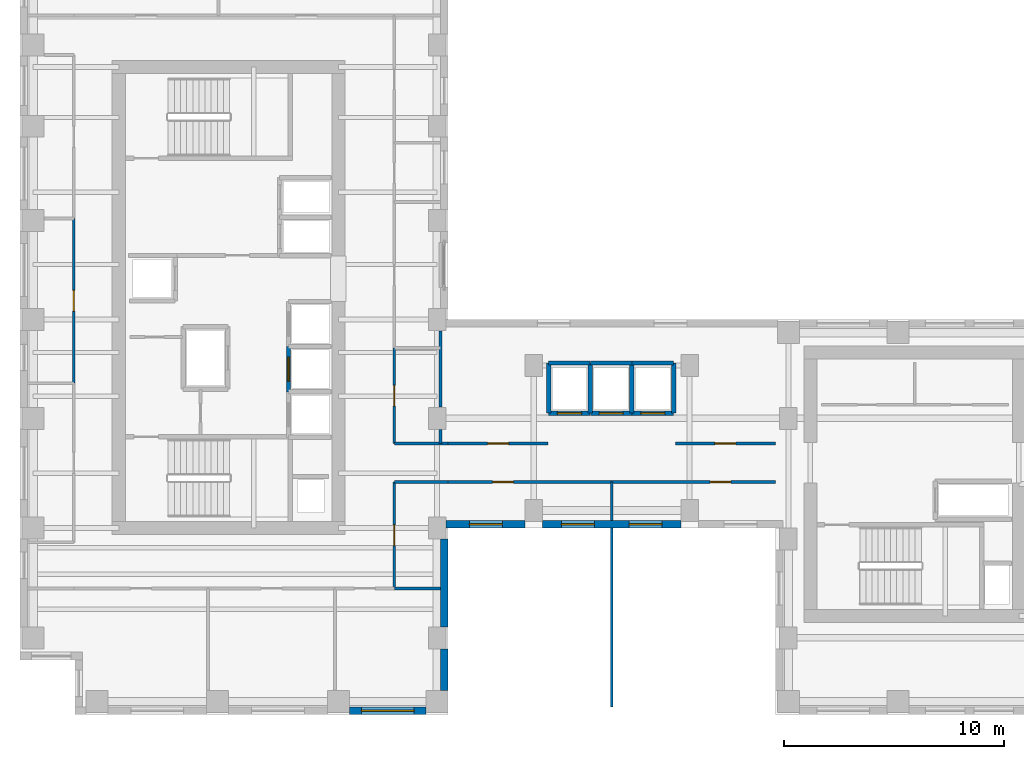
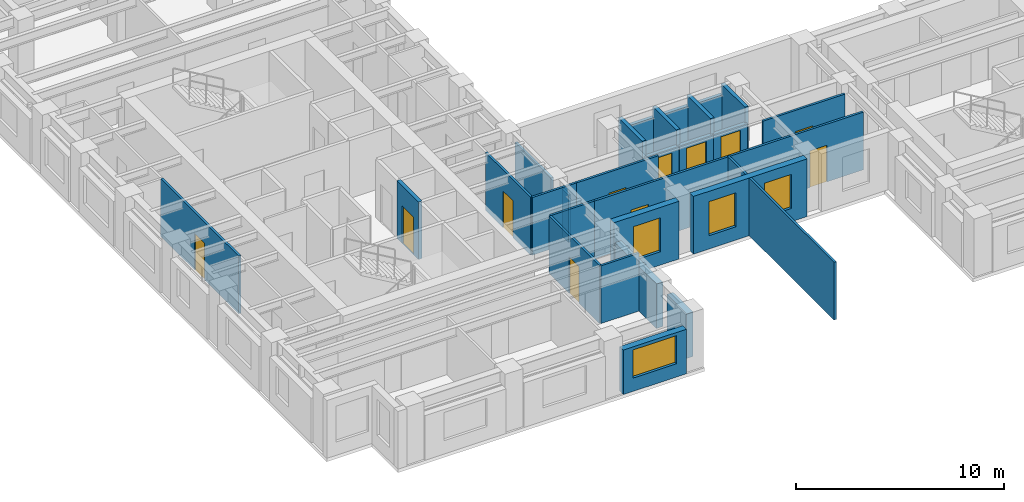
# One storey, part 5 of 11: 30 walls, 11 doors, 4 windows, 15 openings.
"""IFC4 building model written with IfcOpenShell, lengths in metres."""

from ifc_helpers import new_model, si_unit, direction, frame, frame_2d, origin, place, context, subcontext, project, spatial, rectangle, extrude, source, transform, mapped, material, layer, layer_set, type_object, element, fill, save


model = new_model("IFC4")

# Units and contexts
model_context = context("Model", 3, precision=1e-05, world=origin(), true_north=direction((0.0, 1.0)))
body_context = subcontext(model_context, "Body", "Model", "MODEL_VIEW")
ifc_project = project(units=[si_unit("LENGTHUNIT", "METRE"), si_unit("AREAUNIT", "SQUARE_METRE"), si_unit("VOLUMEUNIT", "CUBIC_METRE"), si_unit("PLANEANGLEUNIT", "RADIAN"), si_unit("MASSUNIT", "GRAM", prefix="KILO")], contexts=[model_context])

# Site, building, storey
site_placement = place(None, origin())
site = spatial("IfcSite", under=ifc_project, at=site_placement, CompositionType="ELEMENT")
building_placement = place(site_placement, origin())
building = spatial("IfcBuilding", under=site, at=building_placement, Name="Kharzan Plaza Tower", CompositionType="ELEMENT")
storey_placement = place(building_placement, frame((0.0, 0.0, 182.699951171875)))
storey = spatial("IfcBuildingStorey", under=building, at=storey_placement, Name="L49", CompositionType="ELEMENT", Elevation=182.699951171875)

# Wall, opening, window
ifc_material_1 = material(Name="Concrete C40/50", Category="concrete")
ifc_layer_1 = layer(ifc_material_1, 0.35009765625)
ifc_layer_set_1 = layer_set([ifc_layer_1], Name="Concrete C40/50")
wall_type_1 = type_object("IfcWallType", Name="WL-EXT-MAS-Z3", PredefinedType="SOLIDWALL", material=ifc_layer_set_1)
wall_1_placement = place(storey_placement, frame((14.998046875, 0.175048828125, 0.0), z_axis=(0.0, 0.0, 1.0), x_axis=(1.0, 0.0, 0.0)))
wall_1 = element("IfcWall", 1, at=wall_1_placement, inside=storey, type_object=wall_type_1, Name="L49 Masonry-Frame Exterior Wall 23", PredefinedType="SOLIDWALL", context=body_context, shape_type="SweptSolid", body=[
    extrude(rectangle(XDim=3.50390625, YDim=0.35009765625, at=frame_2d((1.751953125, 0.0))), origin(), (0.0, 0.0, 1.0), 2.612060546875),
])
opening_1_placement = place(wall_1_placement, frame((0.552001953125, 0.0, 0.780029296875)))
opening_1 = element("IfcOpeningElement", 2, at=opening_1_placement, cuts=wall_1, Name="Opening W2", PredefinedType="OPENING", context=body_context, shape_type="SweptSolid", body=[
    extrude(rectangle(XDim=2.39990234375, YDim=1.652099609375, at=frame_2d((1.199951171875, 0.826171875))), frame((0.0, 0.18505859375, 0.0), z_axis=(0.0, -1.0, 0.0), x_axis=(1.0, 0.0, 0.0)), (0.0, 0.0, 1.0), 0.3701171875),
])
ifc_material_2 = material(Name="Low-E Double Glazing", Category="glass")
window_type_1 = type_object("IfcWindowType", Name="WN-REC-2400x2100", PartitioningType="SINGLE_PANEL", PredefinedType="WINDOW", material=ifc_material_2)
shared_shape_1 = source(origin(), body_context, "Body", "SweptSolid", [
    extrude(rectangle(XDim=2.39990234375, YDim=1.652099609375, at=frame_2d((1.199951171875, 0.826171875))), frame((0.0, 0.030029296875, 0.0), z_axis=(0.0, -1.0, 0.0), x_axis=(1.0, 0.0, 0.0)), (0.0, 0.0, 1.0), 0.06005859375),
])
window_1_placement = place(opening_1_placement, origin())
window_1 = element("IfcWindow", 3, at=window_1_placement, inside=storey, type_object=window_type_1, Name="L49 Wide Recessed Solar-Control Window 23-1", OverallHeight=1.652099609375, OverallWidth=2.39990234375, PartitioningType="SINGLE_PANEL", PredefinedType="WINDOW", context=body_context, shape_type="MappedRepresentation", body=[
    mapped(shared_shape_1, transform((0.0, 0.0, 0.0), x_axis=(1.0, 0.0, 0.0), y_axis=(0.0, 1.0, 0.0), z_axis=(0.0, 0.0, 1.0))),
])
fill(opening_1, window_1)

wall_2_placement = place(storey_placement, frame((19.39794921875, 8.675048828125, 0.0), z_axis=(0.0, 0.0, 1.0), x_axis=(1.0, 0.0, 0.0)))
wall_2 = element("IfcWall", 4, at=wall_2_placement, inside=storey, type_object=wall_type_1, Name="L49 Masonry-Frame Exterior Wall 26", PredefinedType="SOLIDWALL", context=body_context, shape_type="SweptSolid", body=[
    extrude(rectangle(XDim=3.60400390625, YDim=0.35009765625, at=frame_2d((1.802001953125, 0.0))), origin(), (0.0, 0.0, 1.0), 3.385009765625),
])
opening_2_placement = place(wall_2_placement, frame((1.067138671875, 0.0, 0.780029296875)))
opening_2 = element("IfcOpeningElement", 5, at=opening_2_placement, cuts=wall_2, Name="Opening W5", PredefinedType="OPENING", context=body_context, shape_type="SweptSolid", body=[
    extrude(rectangle(XDim=1.5, YDim=2.0, at=frame_2d((0.75, 1.0))), frame((0.0, 0.18505859375, 0.0), z_axis=(0.0, -1.0, 0.0), x_axis=(1.0, 0.0, 0.0)), (0.0, 0.0, 1.0), 0.3701171875),
])
window_type_2 = type_object("IfcWindowType", Name="WN-SLT-1500x2000", PartitioningType="SINGLE_PANEL", PredefinedType="WINDOW", material=ifc_material_2)
shared_shape_2 = source(origin(), body_context, "Body", "SweptSolid", [
    extrude(rectangle(XDim=1.5, YDim=2.0, at=frame_2d((0.75, 1.0))), frame((0.0, 0.030029296875, 0.0), z_axis=(0.0, -1.0, 0.0), x_axis=(1.0, 0.0, 0.0)), (0.0, 0.0, 1.0), 0.06005859375),
])
window_2_placement = place(opening_2_placement, origin())
window_2 = element("IfcWindow", 6, at=window_2_placement, inside=storey, type_object=window_type_2, Name="L49 Recessed Solar-Control Window 26-1", OverallHeight=2.0, OverallWidth=1.5, PartitioningType="SINGLE_PANEL", PredefinedType="WINDOW", context=body_context, shape_type="MappedRepresentation", body=[
    mapped(shared_shape_2, transform((0.0, 0.0, 0.0), x_axis=(1.0, 0.0, 0.0), y_axis=(0.0, 1.0, 0.0), z_axis=(0.0, 0.0, 1.0))),
])
fill(opening_2, window_2)

# Wall, openings, windows
wall_3_placement = place(storey_placement, frame((23.798095703125, 8.675048828125, 0.0), z_axis=(0.0, 0.0, 1.0), x_axis=(1.0, 0.0, 0.0)))
wall_3 = element("IfcWall", 7, at=wall_3_placement, inside=storey, type_object=wall_type_1, Name="L49 Masonry-Frame Exterior Wall 27", PredefinedType="SOLIDWALL", context=body_context, shape_type="SweptSolid", body=[
    extrude(rectangle(XDim=6.303955078125, YDim=0.35009765625, at=frame_2d((3.15185546875, 0.0))), origin(), (0.0, 0.0, 1.0), 3.385009765625),
])
opening_3_placement = place(wall_3_placement, frame((0.861083984375, 0.0, 0.780029296875)))
opening_3 = element("IfcOpeningElement", 8, at=opening_3_placement, cuts=wall_3, Name="Opening W5", PredefinedType="OPENING", context=body_context, shape_type="SweptSolid", body=[
    extrude(rectangle(XDim=1.5, YDim=2.0, at=frame_2d((0.75, 1.0))), frame((0.0, 0.18505859375, 0.0), z_axis=(0.0, -1.0, 0.0), x_axis=(1.0, 0.0, 0.0)), (0.0, 0.0, 1.0), 0.3701171875),
])
opening_4_placement = place(wall_3_placement, frame((3.943115234375, 0.0, 0.780029296875)))
opening_4 = element("IfcOpeningElement", 9, at=opening_4_placement, cuts=wall_3, Name="Opening W5", PredefinedType="OPENING", context=body_context, shape_type="SweptSolid", body=[
    extrude(rectangle(XDim=1.5, YDim=2.0, at=frame_2d((0.75, 1.0))), frame((0.0, 0.18505859375, 0.0), z_axis=(0.0, -1.0, 0.0), x_axis=(1.0, 0.0, 0.0)), (0.0, 0.0, 1.0), 0.3701171875),
])
window_3_placement = place(opening_3_placement, origin())
window_3 = element("IfcWindow", 10, at=window_3_placement, inside=storey, type_object=window_type_2, Name="L49 Recessed Solar-Control Window 27-1", OverallHeight=2.0, OverallWidth=1.5, PartitioningType="SINGLE_PANEL", PredefinedType="WINDOW", context=body_context, shape_type="MappedRepresentation", body=[
    mapped(shared_shape_2, transform((0.0, 0.0, 0.0), x_axis=(1.0, 0.0, 0.0), y_axis=(0.0, 1.0, 0.0), z_axis=(0.0, 0.0, 1.0))),
])
fill(opening_3, window_3)
window_4_placement = place(opening_4_placement, origin())
window_4 = element("IfcWindow", 11, at=window_4_placement, inside=storey, type_object=window_type_2, Name="L49 Recessed Solar-Control Window 27-2", OverallHeight=2.0, OverallWidth=1.5, PartitioningType="SINGLE_PANEL", PredefinedType="WINDOW", context=body_context, shape_type="MappedRepresentation", body=[
    mapped(shared_shape_2, transform((0.0, 0.0, 0.0), x_axis=(1.0, 0.0, 0.0), y_axis=(0.0, 1.0, 0.0), z_axis=(0.0, 0.0, 1.0))),
])
fill(opening_4, window_4)

# Wall, opening, door
ifc_material_3 = material(Name="Fire-Rated Gypsum Board Partition", Category="gypsum")
ifc_layer_2 = layer(ifc_material_3, 0.125)
ifc_layer_set_2 = layer_set([ifc_layer_2], Name="Fire-Rated Gypsum Board Partition")
wall_type_2 = type_object("IfcWallType", Name="WL-INT-PART-125", PredefinedType="PARTITIONING", material=ifc_layer_set_2)
wall_4_placement = place(storey_placement, frame((17.050048828125, 12.35009765625, 0.0), z_axis=(0.0, 0.0, 1.0), x_axis=(0.0, 1.0, 0.0)))
wall_4 = element("IfcWall", 12, at=wall_4_placement, inside=storey, type_object=wall_type_2, Name="L49 Interior Partition SH-AEWN1", PredefinedType="PARTITIONING", context=body_context, shape_type="SweptSolid", body=[
    extrude(rectangle(XDim=4.349853515625, YDim=0.125, at=frame_2d((2.1748046875, 0.0))), origin(), (0.0, 0.0, 1.0), 3.385009765625),
])
opening_5_placement = place(wall_4_placement, frame((1.699951171875, 0.0, 0.0)))
opening_5 = element("IfcOpeningElement", 13, at=opening_5_placement, cuts=wall_4, Name="Opening OD1", PredefinedType="OPENING", context=body_context, shape_type="SweptSolid", body=[
    extrude(rectangle(XDim=0.949951171875, YDim=2.14990234375, at=frame_2d((0.47509765625, 1.074951171875))), frame((0.0, 0.072509765625, 0.0), z_axis=(0.0, -1.0, 0.0), x_axis=(1.0, 0.0, 0.0)), (0.0, 0.0, 1.0), 0.14501953125),
])
ifc_material_4 = material(Name="Acoustic Solid-Core Stained Oak", Category="timber")
door_type_1 = type_object("IfcDoorType", Name="DR-OFF-SINGLE", OperationType="NOTDEFINED", PredefinedType="DOOR", material=ifc_material_4)
shared_shape_3 = source(origin(), body_context, "Body", "SweptSolid", [
    extrude(rectangle(XDim=0.949951171875, YDim=2.14990234375, at=frame_2d((0.47509765625, 1.074951171875))), frame((0.0, 0.02490234375, 0.0), z_axis=(0.0, -1.0, 0.0), x_axis=(1.0, 0.0, 0.0)), (0.0, 0.0, 1.0), 0.050048828125),
])
door_1_placement = place(opening_5_placement, origin())
door_1 = element("IfcDoor", 14, at=door_1_placement, inside=storey, type_object=door_type_1, Name="L49 Slot Collaboration Door", OperationType="SINGLE_SWING_LEFT", OverallHeight=2.14990234375, OverallWidth=0.949951171875, PredefinedType="DOOR", context=body_context, shape_type="MappedRepresentation", body=[
    mapped(shared_shape_3, transform((0.0, 0.0, 0.0), x_axis=(1.0, 0.0, 0.0), y_axis=(0.0, 1.0, 0.0), z_axis=(0.0, 0.0, 1.0))),
])
fill(opening_5, door_1)

wall_5_placement = place(storey_placement, frame((17.050048828125, 5.75, 0.0), z_axis=(0.0, 0.0, 1.0), x_axis=(0.0, 1.0, 0.0)))
wall_5 = element("IfcWall", 15, at=wall_5_placement, inside=storey, type_object=wall_type_2, Name="L49 Interior Partition SH-AEWS", PredefinedType="PARTITIONING", context=body_context, shape_type="SweptSolid", body=[
    extrude(rectangle(XDim=4.85009765625, YDim=0.125, at=frame_2d((2.425048828125, 0.0))), origin(), (0.0, 0.0, 1.0), 3.385009765625),
])
opening_6_placement = place(wall_5_placement, frame((1.949951171875, 0.0, 0.0)))
opening_6 = element("IfcOpeningElement", 16, at=opening_6_placement, cuts=wall_5, Name="Opening OD1", PredefinedType="OPENING", context=body_context, shape_type="SweptSolid", body=[
    extrude(rectangle(XDim=0.949951171875, YDim=2.14990234375, at=frame_2d((0.47509765625, 1.074951171875))), frame((0.0, 0.072509765625, 0.0), z_axis=(0.0, -1.0, 0.0), x_axis=(1.0, 0.0, 0.0)), (0.0, 0.0, 1.0), 0.14501953125),
])
door_2_placement = place(opening_6_placement, origin())
door_2 = element("IfcDoor", 17, at=door_2_placement, inside=storey, type_object=door_type_1, Name="L49 Slot South Office Door", OperationType="SINGLE_SWING_RIGHT", OverallHeight=2.14990234375, OverallWidth=0.949951171875, PredefinedType="DOOR", context=body_context, shape_type="MappedRepresentation", body=[
    mapped(shared_shape_3, transform((0.0, 0.0, 0.0), x_axis=(1.0, 0.0, 0.0), y_axis=(0.0, 1.0, 0.0), z_axis=(0.0, 0.0, 1.0))),
])
fill(opening_6, door_2)

wall_6_placement = place(storey_placement, frame((29.85009765625, 12.35009765625, 0.0), z_axis=(0.0, 0.0, 1.0), x_axis=(1.0, 0.0, 0.0)))
wall_6 = element("IfcWall", 18, at=wall_6_placement, inside=storey, type_object=wall_type_2, Name="L49 Interior Partition SH-SPNE1", PredefinedType="PARTITIONING", context=body_context, shape_type="SweptSolid", body=[
    extrude(rectangle(XDim=4.5498046875, YDim=0.125, at=frame_2d((2.27490234375, 0.0))), origin(), (0.0, 0.0, 1.0), 3.385009765625),
])
opening_7_placement = place(wall_6_placement, frame((1.800048828125, 0.0, 0.0)))
opening_7 = element("IfcOpeningElement", 19, at=opening_7_placement, cuts=wall_6, Name="Opening OD1", PredefinedType="OPENING", context=body_context, shape_type="SweptSolid", body=[
    extrude(rectangle(XDim=0.949951171875, YDim=2.14990234375, at=frame_2d((0.47509765625, 1.074951171875))), frame((0.0, 0.072509765625, 0.0), z_axis=(0.0, -1.0, 0.0), x_axis=(1.0, 0.0, 0.0)), (0.0, 0.0, 1.0), 0.14501953125),
])
door_3_placement = place(opening_7_placement, origin())
door_3 = element("IfcDoor", 20, at=door_3_placement, inside=storey, type_object=door_type_1, Name="L49 North-East Spine Door", OperationType="SINGLE_SWING_RIGHT", OverallHeight=2.14990234375, OverallWidth=0.949951171875, PredefinedType="DOOR", context=body_context, shape_type="MappedRepresentation", body=[
    mapped(shared_shape_3, transform((0.0, 0.0, 0.0), x_axis=(1.0, 0.0, 0.0), y_axis=(0.0, 1.0, 0.0), z_axis=(0.0, 0.0, 1.0))),
])
fill(opening_7, door_3)

wall_7_placement = place(storey_placement, frame((19.5, 12.35009765625, 0.0), z_axis=(0.0, 0.0, 1.0), x_axis=(1.0, 0.0, 0.0)))
wall_7 = element("IfcWall", 21, at=wall_7_placement, inside=storey, type_object=wall_type_2, Name="L49 Interior Partition SH-SPNW1", PredefinedType="PARTITIONING", context=body_context, shape_type="SweptSolid", body=[
    extrude(rectangle(XDim=4.550048828125, YDim=0.125, at=frame_2d((2.27490234375, 0.0))), origin(), (0.0, 0.0, 1.0), 3.385009765625),
])
opening_8_placement = place(wall_7_placement, frame((1.800048828125, 0.0, 0.0)))
opening_8 = element("IfcOpeningElement", 22, at=opening_8_placement, cuts=wall_7, Name="Opening OD1", PredefinedType="OPENING", context=body_context, shape_type="SweptSolid", body=[
    extrude(rectangle(XDim=0.949951171875, YDim=2.14990234375, at=frame_2d((0.47509765625, 1.074951171875))), frame((0.0, 0.072509765625, 0.0), z_axis=(0.0, -1.0, 0.0), x_axis=(1.0, 0.0, 0.0)), (0.0, 0.0, 1.0), 0.14501953125),
])
door_4_placement = place(opening_8_placement, origin())
door_4 = element("IfcDoor", 23, at=door_4_placement, inside=storey, type_object=door_type_1, Name="L49 North-West Spine Door", OperationType="SINGLE_SWING_LEFT", OverallHeight=2.14990234375, OverallWidth=0.949951171875, PredefinedType="DOOR", context=body_context, shape_type="MappedRepresentation", body=[
    mapped(shared_shape_3, transform((0.0, 0.0, 0.0), x_axis=(1.0, 0.0, 0.0), y_axis=(0.0, 1.0, 0.0), z_axis=(0.0, 0.0, 1.0))),
])
fill(opening_8, door_4)

wall_8_placement = place(storey_placement, frame((19.5, 10.60009765625, 0.0), z_axis=(0.0, 0.0, 1.0), x_axis=(1.0, 0.0, 0.0)))
wall_8 = element("IfcWall", 24, at=wall_8_placement, inside=storey, type_object=wall_type_2, Name="L49 Interior Partition SH-SPS1", PredefinedType="PARTITIONING", context=body_context, shape_type="SweptSolid", body=[
    extrude(rectangle(XDim=7.449951171875, YDim=0.125, at=frame_2d((3.72509765625, 0.0))), origin(), (0.0, 0.0, 1.0), 3.385009765625),
])
opening_9_placement = place(wall_8_placement, frame((2.02197265625, 0.0, 0.0)))
opening_9 = element("IfcOpeningElement", 25, at=opening_9_placement, cuts=wall_8, Name="Opening OD1", PredefinedType="OPENING", context=body_context, shape_type="SweptSolid", body=[
    extrude(rectangle(XDim=0.949951171875, YDim=2.14990234375, at=frame_2d((0.47509765625, 1.074951171875))), frame((0.0, 0.072509765625, 0.0), z_axis=(0.0, -1.0, 0.0), x_axis=(1.0, 0.0, 0.0)), (0.0, 0.0, 1.0), 0.14501953125),
])
door_5_placement = place(opening_9_placement, origin())
door_5 = element("IfcDoor", 26, at=door_5_placement, inside=storey, type_object=door_type_1, Name="L49 South Spine West Door", OperationType="SINGLE_SWING_LEFT", OverallHeight=2.14990234375, OverallWidth=0.949951171875, PredefinedType="DOOR", context=body_context, shape_type="MappedRepresentation", body=[
    mapped(shared_shape_3, transform((0.0, 0.0, 0.0), x_axis=(1.0, 0.0, 0.0), y_axis=(0.0, 1.0, 0.0), z_axis=(0.0, 0.0, 1.0))),
])
fill(opening_9, door_5)

wall_9_placement = place(storey_placement, frame((26.949951171875, 10.60009765625, 0.0), z_axis=(0.0, 0.0, 1.0), x_axis=(1.0, 0.0, 0.0)))
wall_9 = element("IfcWall", 27, at=wall_9_placement, inside=storey, type_object=wall_type_2, Name="L49 Interior Partition SH-SPS2", PredefinedType="PARTITIONING", context=body_context, shape_type="SweptSolid", body=[
    extrude(rectangle(XDim=7.449951171875, YDim=0.125, at=frame_2d((3.72509765625, 0.0))), origin(), (0.0, 0.0, 1.0), 3.385009765625),
])
opening_10_placement = place(wall_9_placement, frame((4.47802734375, 0.0, 0.0)))
opening_10 = element("IfcOpeningElement", 28, at=opening_10_placement, cuts=wall_9, Name="Opening OD1", PredefinedType="OPENING", context=body_context, shape_type="SweptSolid", body=[
    extrude(rectangle(XDim=0.949951171875, YDim=2.14990234375, at=frame_2d((0.47509765625, 1.074951171875))), frame((0.0, 0.072509765625, 0.0), z_axis=(0.0, -1.0, 0.0), x_axis=(1.0, 0.0, 0.0)), (0.0, 0.0, 1.0), 0.14501953125),
])
door_6_placement = place(opening_10_placement, origin())
door_6 = element("IfcDoor", 29, at=door_6_placement, inside=storey, type_object=door_type_1, Name="L49 South Spine East Door", OperationType="SINGLE_SWING_RIGHT", OverallHeight=2.14990234375, OverallWidth=0.949951171875, PredefinedType="DOOR", context=body_context, shape_type="MappedRepresentation", body=[
    mapped(shared_shape_3, transform((0.0, 0.0, 0.0), x_axis=(1.0, 0.0, 0.0), y_axis=(0.0, 1.0, 0.0), z_axis=(0.0, 0.0, 1.0))),
])
fill(opening_10, door_6)

wall_10_placement = place(storey_placement, frame((2.449951171875, 15.10009765625, 0.0), z_axis=(0.0, 0.0, 1.0), x_axis=(0.0, 1.0, 0.0)))
wall_10 = element("IfcWall", 30, at=wall_10_placement, inside=storey, type_object=wall_type_2, Name="L49 Interior Partition SH-WW-2", PredefinedType="PARTITIONING", context=body_context, shape_type="SweptSolid", body=[
    extrude(rectangle(XDim=7.5, YDim=0.125, at=frame_2d((3.75, 0.0))), origin(), (0.0, 0.0, 1.0), 3.385009765625),
])
opening_11_placement = place(wall_10_placement, frame((3.27490234375, 0.0, 0.0)))
opening_11 = element("IfcOpeningElement", 31, at=opening_11_placement, cuts=wall_10, Name="Opening OD1", PredefinedType="OPENING", context=body_context, shape_type="SweptSolid", body=[
    extrude(rectangle(XDim=0.949951171875, YDim=2.14990234375, at=frame_2d((0.47509765625, 1.074951171875))), frame((0.0, 0.072509765625, 0.0), z_axis=(0.0, -1.0, 0.0), x_axis=(1.0, 0.0, 0.0)), (0.0, 0.0, 1.0), 0.14501953125),
])
door_7_placement = place(opening_11_placement, origin())
door_7 = element("IfcDoor", 32, at=door_7_placement, inside=storey, type_object=door_type_1, Name="L49 HSE Management Office Door", OperationType="SINGLE_SWING_LEFT", OverallHeight=2.14990234375, OverallWidth=0.949951171875, PredefinedType="DOOR", context=body_context, shape_type="MappedRepresentation", body=[
    mapped(shared_shape_3, transform((0.0, 0.0, 0.0), x_axis=(1.0, 0.0, 0.0), y_axis=(0.0, 1.0, 0.0), z_axis=(0.0, 0.0, 1.0))),
])
fill(opening_11, door_7)

ifc_layer_3 = layer(ifc_material_1, 0.199951171875)
ifc_layer_set_3 = layer_set([ifc_layer_3], Name="Concrete C40/50")
wall_type_3 = type_object("IfcWallType", Name="WL-INT-SHAFT-200", PredefinedType="PARTITIONING", material=ifc_layer_set_3)
wall_11_placement = place(storey_placement, frame((12.22998046875, 14.699951171875, 0.0), z_axis=(0.0, 0.0, 1.0), x_axis=(0.0, 1.0, 0.0)))
wall_11 = element("IfcWall", 33, at=wall_11_placement, inside=storey, type_object=wall_type_3, Name="L49 Interior Partition SHF-PL-H2-W", PredefinedType="PARTITIONING", context=body_context, shape_type="SweptSolid", body=[
    extrude(rectangle(XDim=2.070068359375, YDim=0.199951171875, at=frame_2d((1.03515625, 0.0))), origin(), (0.0, 0.0, 1.0), 3.385009765625),
])
opening_12_placement = place(wall_11_placement, frame((0.485107421875, 0.0, 0.0)))
opening_12 = element("IfcOpeningElement", 34, at=opening_12_placement, cuts=wall_11, Name="Opening LD", PredefinedType="OPENING", context=body_context, shape_type="SweptSolid", body=[
    extrude(rectangle(XDim=1.10009765625, YDim=2.199951171875, at=frame_2d((0.550048828125, 1.10009765625))), frame((0.0, 0.10986328125, 0.0), z_axis=(0.0, -1.0, 0.0), x_axis=(1.0, 0.0, 0.0)), (0.0, 0.0, 1.0), 0.219970703125),
])
ifc_material_5 = material(Name="Brushed Stainless Steel", Category="steel")
door_type_2 = type_object("IfcDoorType", Name="DR-LIFT-SLIDE", OperationType="SLIDING_TO_LEFT", PredefinedType="DOOR", material=ifc_material_5)
shared_shape_4 = source(origin(), body_context, "Body", "SweptSolid", [
    extrude(rectangle(XDim=1.10009765625, YDim=2.199951171875, at=frame_2d((0.550048828125, 1.10009765625))), frame((0.0, 0.02490234375, 0.0), z_axis=(0.0, -1.0, 0.0), x_axis=(1.0, 0.0, 0.0)), (0.0, 0.0, 1.0), 0.050048828125),
])
door_8_placement = place(opening_12_placement, origin())
door_8 = element("IfcDoor", 35, at=door_8_placement, inside=storey, type_object=door_type_2, Name="L49 High-Rise Passenger Lift PL-H2 Sliding Landing Door", OperationType="SLIDING_TO_LEFT", OverallHeight=2.199951171875, OverallWidth=1.10009765625, PredefinedType="DOOR", context=body_context, shape_type="MappedRepresentation", body=[
    mapped(shared_shape_4, transform((0.0, 0.0, 0.0), x_axis=(1.0, 0.0, 0.0), y_axis=(0.0, 1.0, 0.0), z_axis=(0.0, 0.0, 1.0))),
])
fill(opening_12, door_8)

wall_12_placement = place(storey_placement, frame((24.080078125, 13.72998046875, 0.0), z_axis=(0.0, 0.0, 1.0), x_axis=(1.0, 0.0, 0.0)))
wall_12 = element("IfcWall", 36, at=wall_12_placement, inside=storey, type_object=wall_type_3, Name="L49 Interior Partition SHF-PL-M1-S", PredefinedType="PARTITIONING", context=body_context, shape_type="SweptSolid", body=[
    extrude(rectangle(XDim=1.889892578125, YDim=0.199951171875, at=frame_2d((0.94482421875, 0.0))), origin(), (0.0, 0.0, 1.0), 2.466064453125),
])
opening_13_placement = place(wall_12_placement, frame((0.39501953125, 0.0, 0.0)))
opening_13 = element("IfcOpeningElement", 37, at=opening_13_placement, cuts=wall_12, Name="Opening LD", PredefinedType="OPENING", context=body_context, shape_type="SweptSolid", body=[
    extrude(rectangle(XDim=1.10009765625, YDim=2.199951171875, at=frame_2d((0.550048828125, 1.10009765625))), frame((0.0, 0.10986328125, 0.0), z_axis=(0.0, -1.0, 0.0), x_axis=(1.0, 0.0, 0.0)), (0.0, 0.0, 1.0), 0.219970703125),
])
door_9_placement = place(opening_13_placement, origin())
door_9 = element("IfcDoor", 38, at=door_9_placement, inside=storey, type_object=door_type_2, Name="L49 Mid-Rise Passenger Lift PL-M1 Sliding Landing Door", OperationType="SLIDING_TO_LEFT", OverallHeight=2.199951171875, OverallWidth=1.10009765625, PredefinedType="DOOR", context=body_context, shape_type="MappedRepresentation", body=[
    mapped(shared_shape_4, transform((0.0, 0.0, 0.0), x_axis=(1.0, 0.0, 0.0), y_axis=(0.0, 1.0, 0.0), z_axis=(0.0, 0.0, 1.0))),
])
fill(opening_13, door_9)

wall_13_placement = place(storey_placement, frame((25.97998046875, 13.72998046875, 0.0), z_axis=(0.0, 0.0, 1.0), x_axis=(1.0, 0.0, 0.0)))
wall_13 = element("IfcWall", 39, at=wall_13_placement, inside=storey, type_object=wall_type_3, Name="L49 Interior Partition SHF-PL-M2-S", PredefinedType="PARTITIONING", context=body_context, shape_type="SweptSolid", body=[
    extrude(rectangle(XDim=1.89013671875, YDim=0.199951171875, at=frame_2d((0.945068359375, 0.0))), origin(), (0.0, 0.0, 1.0), 2.466064453125),
])
opening_14_placement = place(wall_13_placement, frame((0.39501953125, 0.0, 0.0)))
opening_14 = element("IfcOpeningElement", 40, at=opening_14_placement, cuts=wall_13, Name="Opening LD", PredefinedType="OPENING", context=body_context, shape_type="SweptSolid", body=[
    extrude(rectangle(XDim=1.10009765625, YDim=2.199951171875, at=frame_2d((0.550048828125, 1.10009765625))), frame((0.0, 0.10986328125, 0.0), z_axis=(0.0, -1.0, 0.0), x_axis=(1.0, 0.0, 0.0)), (0.0, 0.0, 1.0), 0.219970703125),
])
door_10_placement = place(opening_14_placement, origin())
door_10 = element("IfcDoor", 41, at=door_10_placement, inside=storey, type_object=door_type_2, Name="L49 Mid-Rise Passenger Lift PL-M2 Sliding Landing Door", OperationType="SLIDING_TO_LEFT", OverallHeight=2.199951171875, OverallWidth=1.10009765625, PredefinedType="DOOR", context=body_context, shape_type="MappedRepresentation", body=[
    mapped(shared_shape_4, transform((0.0, 0.0, 0.0), x_axis=(1.0, 0.0, 0.0), y_axis=(0.0, 1.0, 0.0), z_axis=(0.0, 0.0, 1.0))),
])
fill(opening_14, door_10)

wall_14_placement = place(storey_placement, frame((27.8798828125, 13.72998046875, 0.0), z_axis=(0.0, 0.0, 1.0), x_axis=(1.0, 0.0, 0.0)))
wall_14 = element("IfcWall", 42, at=wall_14_placement, inside=storey, type_object=wall_type_3, Name="L49 Interior Partition SHF-PL-M3-S", PredefinedType="PARTITIONING", context=body_context, shape_type="SweptSolid", body=[
    extrude(rectangle(XDim=1.89013671875, YDim=0.199951171875, at=frame_2d((0.945068359375, 0.0))), origin(), (0.0, 0.0, 1.0), 2.466064453125),
])
opening_15_placement = place(wall_14_placement, frame((0.39501953125, 0.0, 0.0)))
opening_15 = element("IfcOpeningElement", 43, at=opening_15_placement, cuts=wall_14, Name="Opening LD", PredefinedType="OPENING", context=body_context, shape_type="SweptSolid", body=[
    extrude(rectangle(XDim=1.10009765625, YDim=2.199951171875, at=frame_2d((0.550048828125, 1.10009765625))), frame((0.0, 0.10986328125, 0.0), z_axis=(0.0, -1.0, 0.0), x_axis=(1.0, 0.0, 0.0)), (0.0, 0.0, 1.0), 0.219970703125),
])
door_11_placement = place(opening_15_placement, origin())
door_11 = element("IfcDoor", 44, at=door_11_placement, inside=storey, type_object=door_type_2, Name="L49 Mid-Rise Passenger Lift PL-M3 Sliding Landing Door", OperationType="SLIDING_TO_LEFT", OverallHeight=2.199951171875, OverallWidth=1.10009765625, PredefinedType="DOOR", context=body_context, shape_type="MappedRepresentation", body=[
    mapped(shared_shape_4, transform((0.0, 0.0, 0.0), x_axis=(1.0, 0.0, 0.0), y_axis=(0.0, 1.0, 0.0), z_axis=(0.0, 0.0, 1.0))),
])
fill(opening_15, door_11)

# Walls
shared_shape_5 = source(origin(), body_context, "Body", "SweptSolid", [
    extrude(rectangle(XDim=2.097900390625, YDim=0.125, at=frame_2d((1.048828125, 0.0))), origin(), (0.0, 0.0, 1.0), 3.385009765625),
])
wall_15_placement = place(storey_placement, frame((17.050048828125, 5.75, 0.0), z_axis=(0.0, 0.0, 1.0), x_axis=(1.0, 0.0, 0.0)))
element("IfcWall", 45, at=wall_15_placement, inside=storey, type_object=wall_type_2, Name="L49 Interior Partition SH-SSE-3", PredefinedType="PARTITIONING", context=body_context, shape_type="MappedRepresentation", body=[
    mapped(shared_shape_5, transform((0.0, 0.0, 0.0), x_axis=(1.0, 0.0, 0.0), y_axis=(0.0, 1.0, 0.0), z_axis=(0.0, 0.0, 1.0))),
])
shared_shape_6 = source(origin(), body_context, "Body", "SweptSolid", [
    extrude(rectangle(XDim=0.6298828125, YDim=0.125, at=frame_2d((0.31494140625, 0.0))), origin(), (0.0, 0.0, 1.0), 2.77294921875),
])
wall_16_placement = place(storey_placement, frame((19.14990234375, 12.35009765625, 0.0), z_axis=(0.0, 0.0, 1.0), x_axis=(0.0, 1.0, 0.0)))
element("IfcWall", 46, at=wall_16_placement, inside=storey, type_object=wall_type_2, Name="L49 Interior Partition SH-AEN-DIV-S1", PredefinedType="PARTITIONING", context=body_context, shape_type="MappedRepresentation", body=[
    mapped(shared_shape_6, transform((0.0, 0.0, 0.0), x_axis=(1.0, 0.0, 0.0), y_axis=(0.0, 1.0, 0.0), z_axis=(0.0, 0.0, 1.0))),
])
shared_shape_7 = source(origin(), body_context, "Body", "SweptSolid", [
    extrude(rectangle(XDim=3.4599609375, YDim=0.125, at=frame_2d((1.72998046875, 0.0))), origin(), (0.0, 0.0, 1.0), 2.77294921875),
])
wall_17_placement = place(storey_placement, frame((19.14990234375, 14.02001953125, 0.0), z_axis=(0.0, 0.0, 1.0), x_axis=(0.0, 1.0, 0.0)))
element("IfcWall", 47, at=wall_17_placement, inside=storey, type_object=wall_type_2, Name="L49 Interior Partition SH-AEN-DIV-S2", PredefinedType="PARTITIONING", context=body_context, shape_type="MappedRepresentation", body=[
    mapped(shared_shape_7, transform((0.0, 0.0, 0.0), x_axis=(1.0, 0.0, 0.0), y_axis=(0.0, 1.0, 0.0), z_axis=(0.0, 0.0, 1.0))),
])
shared_shape_8 = source(origin(), body_context, "Body", "SweptSolid", [
    extrude(rectangle(XDim=2.449951171875, YDim=0.125, at=frame_2d((1.22509765625, 0.0))), origin(), (0.0, 0.0, 1.0), 3.385009765625),
])
for number, where, z_axis, x_axis, name in (
    (48, (17.050048828125, 12.35009765625, 0.0), (0.0, 0.0, 1.0), (1.0, 0.0, 0.0), "L49 Interior Partition SH-SPNW0"),
    (49, (17.050048828125, 10.60009765625, 0.0), (0.0, 0.0, 1.0), (1.0, 0.0, 0.0), "L49 Interior Partition SH-SPS0"),
):
    element("IfcWall", number, at=place(storey_placement, frame(where, z_axis=z_axis, x_axis=x_axis)), inside=storey, type_object=wall_type_2, Name=name, PredefinedType="PARTITIONING", context=body_context, shape_type="MappedRepresentation", body=[
        mapped(shared_shape_8, transform((0.0, 0.0, 0.0), x_axis=(1.0, 0.0, 0.0), y_axis=(0.0, 1.0, 0.0), z_axis=(0.0, 0.0, 1.0))),
    ])
shared_shape_9 = source(origin(), body_context, "Body", "SweptSolid", [
    extrude(rectangle(XDim=2.2900390625, YDim=0.199951171875, at=frame_2d((1.14501953125, 0.0))), origin(), (0.0, 0.0, 1.0), 3.385009765625),
])
for number, where, z_axis, x_axis, name in (
    (50, (25.969970703125, 13.72998046875, 0.0), (0.0, 0.0, 1.0), (0.0, 1.0, 0.0), "L49 Interior Partition SHF-PL-M1-E"),
    (51, (24.080078125, 13.72998046875, 0.0), (0.0, 0.0, 1.0), (0.0, 1.0, 0.0), "L49 Interior Partition SHF-PL-M1-W"),
    (52, (27.8701171875, 13.72998046875, 0.0), (0.0, 0.0, 1.0), (0.0, 1.0, 0.0), "L49 Interior Partition SHF-PL-M2-E"),
    (53, (29.77001953125, 13.72998046875, 0.0), (0.0, 0.0, 1.0), (0.0, 1.0, 0.0), "L49 Interior Partition SHF-PL-M3-E"),
):
    element("IfcWall", number, at=place(storey_placement, frame(where, z_axis=z_axis, x_axis=x_axis)), inside=storey, type_object=wall_type_3, Name=name, PredefinedType="PARTITIONING", context=body_context, shape_type="MappedRepresentation", body=[
        mapped(shared_shape_9, transform((0.0, 0.0, 0.0), x_axis=(1.0, 0.0, 0.0), y_axis=(0.0, 1.0, 0.0), z_axis=(0.0, 0.0, 1.0))),
    ])
shared_shape_10 = source(origin(), body_context, "Body", "SweptSolid", [
    extrude(rectangle(XDim=1.889892578125, YDim=0.199951171875, at=frame_2d((0.94482421875, 0.0))), origin(), (0.0, 0.0, 1.0), 2.77294921875),
])
wall_18_placement = place(storey_placement, frame((24.080078125, 16.02001953125, 0.0), z_axis=(0.0, 0.0, 1.0), x_axis=(1.0, 0.0, 0.0)))
element("IfcWall", 54, at=wall_18_placement, inside=storey, type_object=wall_type_3, Name="L49 Interior Partition SHF-PL-M1-N", PredefinedType="PARTITIONING", context=body_context, shape_type="MappedRepresentation", body=[
    mapped(shared_shape_10, transform((0.0, 0.0, 0.0), x_axis=(1.0, 0.0, 0.0), y_axis=(0.0, 1.0, 0.0), z_axis=(0.0, 0.0, 1.0))),
])
shared_shape_11 = source(origin(), body_context, "Body", "SweptSolid", [
    extrude(rectangle(XDim=1.89013671875, YDim=0.199951171875, at=frame_2d((0.945068359375, 0.0))), origin(), (0.0, 0.0, 1.0), 2.77294921875),
])
for number, where, z_axis, x_axis, name in (
    (55, (25.97998046875, 16.02001953125, 0.0), (0.0, 0.0, 1.0), (1.0, 0.0, 0.0), "L49 Interior Partition SHF-PL-M2-N"),
    (56, (27.8798828125, 16.02001953125, 0.0), (0.0, 0.0, 1.0), (1.0, 0.0, 0.0), "L49 Interior Partition SHF-PL-M3-N"),
):
    element("IfcWall", number, at=place(storey_placement, frame(where, z_axis=z_axis, x_axis=x_axis)), inside=storey, type_object=wall_type_3, Name=name, PredefinedType="PARTITIONING", context=body_context, shape_type="MappedRepresentation", body=[
        mapped(shared_shape_11, transform((0.0, 0.0, 0.0), x_axis=(1.0, 0.0, 0.0), y_axis=(0.0, 1.0, 0.0), z_axis=(0.0, 0.0, 1.0))),
    ])
shared_shape_12 = source(origin(), body_context, "Body", "SweptSolid", [
    extrude(rectangle(XDim=1.904052734375, YDim=0.35009765625, at=frame_2d((0.9521484375, 0.0))), origin(), (0.0, 0.0, 1.0), 2.612060546875),
])
wall_19_placement = place(storey_placement, frame((19.324951171875, 1.097900390625, 0.0), z_axis=(0.0, 0.0, 1.0), x_axis=(0.0, 1.0, 0.0)))
element("IfcWall", 57, at=wall_19_placement, inside=storey, type_object=wall_type_1, Name="L49 Masonry-Frame Exterior Wall 24", PredefinedType="SOLIDWALL", context=body_context, shape_type="MappedRepresentation", body=[
    mapped(shared_shape_12, transform((0.0, 0.0, 0.0), x_axis=(1.0, 0.0, 0.0), y_axis=(0.0, 1.0, 0.0), z_axis=(0.0, 0.0, 1.0))),
])
shared_shape_13 = source(origin(), body_context, "Body", "SweptSolid", [
    extrude(rectangle(XDim=4.00390625, YDim=0.35009765625, at=frame_2d((2.001953125, 0.0))), origin(), (0.0, 0.0, 1.0), 2.612060546875),
])
wall_20_placement = place(storey_placement, frame((19.324951171875, 3.998046875, 0.0), z_axis=(0.0, 0.0, 1.0), x_axis=(0.0, 1.0, 0.0)))
element("IfcWall", 58, at=wall_20_placement, inside=storey, type_object=wall_type_1, Name="L49 Masonry-Frame Exterior Wall 25", PredefinedType="SOLIDWALL", context=body_context, shape_type="MappedRepresentation", body=[
    mapped(shared_shape_13, transform((0.0, 0.0, 0.0), x_axis=(1.0, 0.0, 0.0), y_axis=(0.0, 1.0, 0.0), z_axis=(0.0, 0.0, 1.0))),
])
shared_shape_14 = source(origin(), body_context, "Body", "SweptSolid", [
    extrude(rectangle(XDim=8.14794921875, YDim=0.125, at=frame_2d((4.073974609375, 0.0))), origin(), (0.0, 0.0, 1.0), 3.385009765625),
])
wall_21_placement = place(storey_placement, frame((26.949951171875, 0.35009765625, 0.0), z_axis=(0.0, 0.0, 1.0), x_axis=(0.0, 1.0, 0.0)))
element("IfcWall", 59, at=wall_21_placement, inside=storey, type_object=wall_type_2, Name="L49 Interior Partition SH-SPSV1-S1", PredefinedType="PARTITIONING", context=body_context, shape_type="MappedRepresentation", body=[
    mapped(shared_shape_14, transform((0.0, 0.0, 0.0), x_axis=(1.0, 0.0, 0.0), y_axis=(0.0, 1.0, 0.0), z_axis=(0.0, 0.0, 1.0))),
])
shared_shape_15 = source(origin(), body_context, "Body", "SweptSolid", [
    extrude(rectangle(XDim=1.748046875, YDim=0.125, at=frame_2d((0.8740234375, 0.0))), origin(), (0.0, 0.0, 1.0), 3.385009765625),
])
wall_22_placement = place(storey_placement, frame((26.949951171875, 8.85205078125, 0.0), z_axis=(0.0, 0.0, 1.0), x_axis=(0.0, 1.0, 0.0)))
element("IfcWall", 60, at=wall_22_placement, inside=storey, type_object=wall_type_2, Name="L49 Interior Partition SH-SPSV1-S2", PredefinedType="PARTITIONING", context=body_context, shape_type="MappedRepresentation", body=[
    mapped(shared_shape_15, transform((0.0, 0.0, 0.0), x_axis=(1.0, 0.0, 0.0), y_axis=(0.0, 1.0, 0.0), z_axis=(0.0, 0.0, 1.0))),
])

save(model, "model.ifc")
